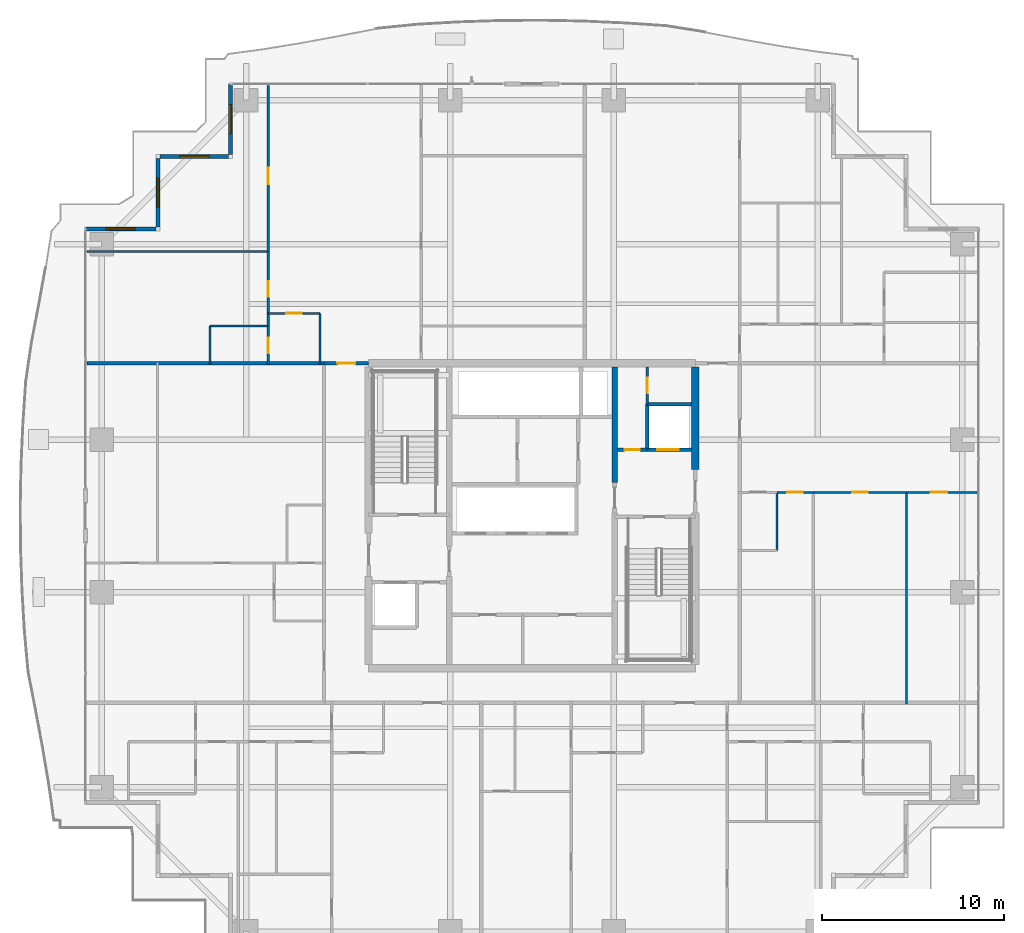
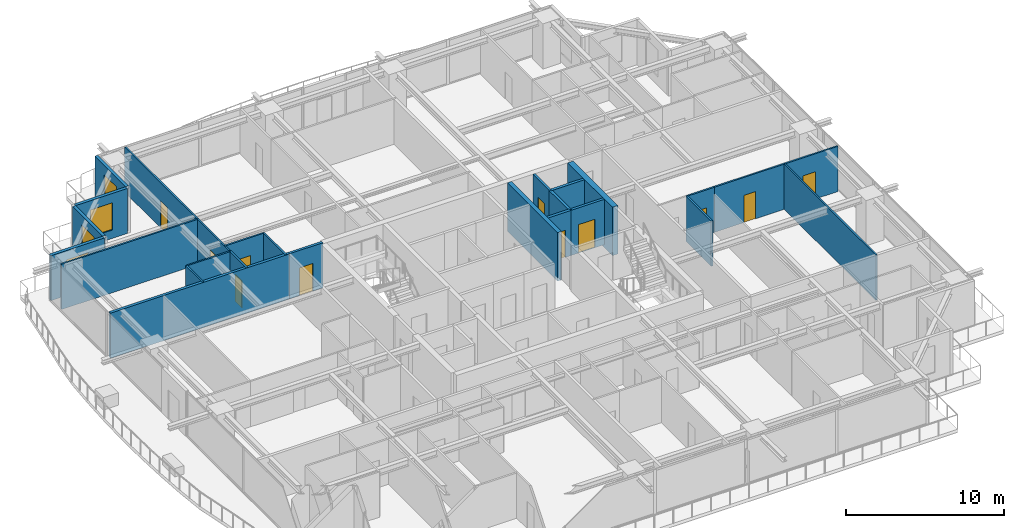
# One storey, part 30 of 39: 26 walls, 11 doors, 4 windows, 15 openings.
"""IFC4 building model written with IfcOpenShell, lengths in metres."""

from ifc_helpers import new_model, si_unit, direction, frame, frame_2d, origin, place, context, subcontext, project, spatial, rectangle, extrude, source, transform, mapped, material, layer, layer_set, type_object, element, fill, save


model = new_model("IFC4")

# Units and contexts
model_context = context("Model", 3, precision=1e-05, world=origin(), true_north=direction((0.0, 1.0)))
body_context = subcontext(model_context, "Body", "Model", "MODEL_VIEW")
ifc_project = project(units=[si_unit("LENGTHUNIT", "METRE"), si_unit("AREAUNIT", "SQUARE_METRE"), si_unit("VOLUMEUNIT", "CUBIC_METRE"), si_unit("PLANEANGLEUNIT", "RADIAN"), si_unit("MASSUNIT", "GRAM", prefix="KILO")], contexts=[model_context])

# Site, building, storey
site_placement = place(None, origin())
site = spatial("IfcSite", under=ifc_project, at=site_placement, CompositionType="ELEMENT")
building_placement = place(site_placement, origin())
building = spatial("IfcBuilding", under=site, at=building_placement, Name="Serunith Strait Residences", CompositionType="ELEMENT")
storey_placement = place(building_placement, frame((0.0, 0.0, 168.89990234375)))
storey = spatial("IfcBuildingStorey", under=building, at=storey_placement, Name="L42", CompositionType="ELEMENT", Elevation=168.89990234375)

# Wall, opening, window
ifc_material_1 = material(Name="Pale-Champagne Aluminium Insulated Panel", Category="aluminium")
ifc_layer_1 = layer(ifc_material_1, 0.219970703125, Name="Pale-Champagne Aluminium Insulated Panel")
ifc_layer_set_1 = layer_set([ifc_layer_1], Name="Pale-Champagne Aluminium Insulated Panel")
wall_type_1 = type_object("IfcWallType", Name="EW-ALUM-220", PredefinedType="ELEMENTEDWALL", material=ifc_layer_set_1)
wall_1_placement = place(storey_placement, frame((15.800048828125, 49.0, 0.0), z_axis=(0.0, 0.0, 1.0), x_axis=(0.0, -1.0, 0.0)))
wall_1 = element("IfcWall", 1, at=wall_1_placement, inside=storey, type_object=wall_type_1, Name="L42 Girih Serrated Corner Wall 12", PredefinedType="ELEMENTEDWALL", context=body_context, shape_type="SweptSolid", body=[
    extrude(rectangle(XDim=3.889892578125, YDim=0.219970703125, at=frame_2d((1.94482421875, 0.0))), origin(), (0.0, 0.0, 1.0), 3.47509765625),
])
opening_1_placement = place(wall_1_placement, frame((1.14501953125, 0.0, 0.64990234375)))
opening_1 = element("IfcOpeningElement", 2, at=opening_1_placement, cuts=wall_1, Name="Opening W-02", PredefinedType="OPENING", context=body_context, shape_type="SweptSolid", body=[
    extrude(rectangle(XDim=1.60009765625, YDim=2.10009765625, at=frame_2d((0.800048828125, 1.050048828125))), frame((0.0, 0.1201171875, 0.0), z_axis=(0.0, -1.0, 0.0), x_axis=(1.0, 0.0, 0.0)), (0.0, 0.0, 1.0), 0.239990234375),
])
ifc_material_2 = material(Name="Ceramic-Fritted Operable Aluminium Window Glass", Category="aluminium")
window_type = type_object("IfcWindowType", Name="WIN-C2", PartitioningType="DOUBLE_PANEL_VERTICAL", PredefinedType="WINDOW", material=ifc_material_2)
shared_shape_1 = source(origin(), body_context, "Body", "SweptSolid", [
    extrude(rectangle(XDim=1.60009765625, YDim=2.10009765625, at=frame_2d((0.800048828125, 1.050048828125))), frame((0.0, 0.030029296875, 0.0), z_axis=(0.0, -1.0, 0.0), x_axis=(1.0, 0.0, 0.0)), (0.0, 0.0, 1.0), 0.06005859375),
])
window_1_placement = place(opening_1_placement, origin())
window_1 = element("IfcWindow", 3, at=window_1_placement, inside=storey, type_object=window_type, Name="L42 Corner Operable Fritted Window 12", OverallHeight=2.10009765625, OverallWidth=1.60009765625, PartitioningType="SINGLE_PANEL", PredefinedType="WINDOW", context=body_context, shape_type="MappedRepresentation", body=[
    mapped(shared_shape_1, transform((0.0, 0.0, 0.0), scale=1.0)),
])
fill(opening_1, window_1)

wall_2_placement = place(storey_placement, frame((15.68994140625, 45.0, 0.0), z_axis=(0.0, 0.0, 1.0), x_axis=(-1.0, 0.0, 0.0)))
wall_2 = element("IfcWall", 4, at=wall_2_placement, inside=storey, type_object=wall_type_1, Name="L42 Girih Serrated Corner Wall 13", PredefinedType="ELEMENTEDWALL", context=body_context, shape_type="SweptSolid", body=[
    extrude(rectangle(XDim=3.780029296875, YDim=0.219970703125, at=frame_2d((1.89013671875, 0.0))), origin(), (0.0, 0.0, 1.0), 3.47509765625),
])
opening_2_placement = place(wall_2_placement, frame((1.090087890625, 0.0, 0.64990234375)))
opening_2 = element("IfcOpeningElement", 5, at=opening_2_placement, cuts=wall_2, Name="Opening W-02", PredefinedType="OPENING", context=body_context, shape_type="SweptSolid", body=[
    extrude(rectangle(XDim=1.60009765625, YDim=2.10009765625, at=frame_2d((0.800048828125, 1.050048828125))), frame((0.0, 0.1201171875, 0.0), z_axis=(0.0, -1.0, 0.0), x_axis=(1.0, 0.0, 0.0)), (0.0, 0.0, 1.0), 0.239990234375),
])
window_2_placement = place(opening_2_placement, origin())
window_2 = element("IfcWindow", 6, at=window_2_placement, inside=storey, type_object=window_type, Name="L42 Corner Operable Fritted Window 13", OverallHeight=2.10009765625, OverallWidth=1.60009765625, PartitioningType="SINGLE_PANEL", PredefinedType="WINDOW", context=body_context, shape_type="MappedRepresentation", body=[
    mapped(shared_shape_1, transform((0.0, 0.0, 0.0), scale=1.0)),
])
fill(opening_2, window_2)

wall_3_placement = place(storey_placement, frame((11.800048828125, 44.889892578125, 0.0), z_axis=(0.0, 0.0, 1.0), x_axis=(0.0, -1.0, 0.0)))
wall_3 = element("IfcWall", 7, at=wall_3_placement, inside=storey, type_object=wall_type_1, Name="L42 Girih Serrated Corner Wall 14", PredefinedType="ELEMENTEDWALL", context=body_context, shape_type="SweptSolid", body=[
    extrude(rectangle(XDim=3.77978515625, YDim=0.219970703125, at=frame_2d((1.889892578125, 0.0))), origin(), (0.0, 0.0, 1.0), 3.47509765625),
])
opening_3_placement = place(wall_3_placement, frame((1.090087890625, 0.0, 0.64990234375)))
opening_3 = element("IfcOpeningElement", 8, at=opening_3_placement, cuts=wall_3, Name="Opening W-02", PredefinedType="OPENING", context=body_context, shape_type="SweptSolid", body=[
    extrude(rectangle(XDim=1.60009765625, YDim=2.10009765625, at=frame_2d((0.800048828125, 1.050048828125))), frame((0.0, 0.1201171875, 0.0), z_axis=(0.0, -1.0, 0.0), x_axis=(1.0, 0.0, 0.0)), (0.0, 0.0, 1.0), 0.239990234375),
])
window_3_placement = place(opening_3_placement, origin())
window_3 = element("IfcWindow", 9, at=window_3_placement, inside=storey, type_object=window_type, Name="L42 Corner Operable Fritted Window 14", OverallHeight=2.10009765625, OverallWidth=1.60009765625, PartitioningType="SINGLE_PANEL", PredefinedType="WINDOW", context=body_context, shape_type="MappedRepresentation", body=[
    mapped(shared_shape_1, transform((0.0, 0.0, 0.0), scale=1.0)),
])
fill(opening_3, window_3)

wall_4_placement = place(storey_placement, frame((11.68994140625, 41.0, 0.0), z_axis=(0.0, 0.0, 1.0), x_axis=(-1.0, 0.0, 0.0)))
wall_4 = element("IfcWall", 10, at=wall_4_placement, inside=storey, type_object=wall_type_1, Name="L42 Girih Serrated Corner Wall 15", PredefinedType="ELEMENTEDWALL", context=body_context, shape_type="SweptSolid", body=[
    extrude(rectangle(XDim=3.889892578125, YDim=0.219970703125, at=frame_2d((1.94482421875, 0.0))), origin(), (0.0, 0.0, 1.0), 3.47509765625),
])
opening_4_placement = place(wall_4_placement, frame((1.14501953125, 0.0, 0.64990234375)))
opening_4 = element("IfcOpeningElement", 11, at=opening_4_placement, cuts=wall_4, Name="Opening W-02", PredefinedType="OPENING", context=body_context, shape_type="SweptSolid", body=[
    extrude(rectangle(XDim=1.60009765625, YDim=2.10009765625, at=frame_2d((0.800048828125, 1.050048828125))), frame((0.0, 0.1201171875, 0.0), z_axis=(0.0, -1.0, 0.0), x_axis=(1.0, 0.0, 0.0)), (0.0, 0.0, 1.0), 0.239990234375),
])
window_4_placement = place(opening_4_placement, origin())
window_4 = element("IfcWindow", 12, at=window_4_placement, inside=storey, type_object=window_type, Name="L42 Corner Operable Fritted Window 15", OverallHeight=2.10009765625, OverallWidth=1.60009765625, PartitioningType="SINGLE_PANEL", PredefinedType="WINDOW", context=body_context, shape_type="MappedRepresentation", body=[
    mapped(shared_shape_1, transform((0.0, 0.0, 0.0), scale=1.0)),
])
fill(opening_4, window_4)

# Wall, opening, door
ifc_material_3 = material(Name="Fire-rated masonry service closet wall", Category="masonry")
ifc_layer_2 = layer(ifc_material_3, 0.14990234375, Name="Fire-rated masonry service closet wall")
ifc_layer_set_2 = layer_set([ifc_layer_2], Name="Fire-rated masonry service closet wall")
wall_type_2 = type_object("IfcWallType", Name="IW-BOH-150", PredefinedType="PARTITIONING", material=ifc_layer_set_2)
wall_5_placement = place(storey_placement, frame((38.75, 31.35205078125, 0.0), z_axis=(0.0, 0.0, 1.0), x_axis=(0.0, 1.0, 0.0)))
wall_5 = element("IfcWall", 13, at=wall_5_placement, inside=storey, type_object=wall_type_2, Name="L42 Partition Wall 012", PredefinedType="PARTITIONING", context=body_context, shape_type="SweptSolid", body=[
    extrude(rectangle(XDim=2.0478515625, YDim=0.14990234375, at=frame_2d((1.02392578125, 0.0))), origin(), (0.0, 0.0, 1.0), 3.489990234375),
])
opening_5_placement = place(wall_5_placement, frame((0.59912109375, 0.0, 0.0)))
opening_5 = element("IfcOpeningElement", 14, at=opening_5_placement, cuts=wall_5, Name="Opening FD-850", PredefinedType="OPENING", context=body_context, shape_type="SweptSolid", body=[
    extrude(rectangle(XDim=0.85009765625, YDim=2.10009765625, at=frame_2d((0.425048828125, 1.050048828125))), frame((0.0, 0.0849609375, 0.0), z_axis=(0.0, -1.0, 0.0), x_axis=(1.0, 0.0, 0.0)), (0.0, 0.0, 1.0), 0.169921875),
])
ifc_material_4 = material(Name="Powder-coated steel service closet door", Category="steel")
door_type_1 = type_object("IfcDoorType", Name="FD-BOH-850", OperationType="NOTDEFINED", PredefinedType="DOOR", material=ifc_material_4)
shared_shape_2 = source(origin(), body_context, "Body", "SweptSolid", [
    extrude(rectangle(XDim=0.85009765625, YDim=2.10009765625, at=frame_2d((0.425048828125, 1.050048828125))), frame((0.0, 0.02490234375, 0.0), z_axis=(0.0, -1.0, 0.0), x_axis=(1.0, 0.0, 0.0)), (0.0, 0.0, 1.0), 0.050048828125),
])
door_1_placement = place(opening_5_placement, origin())
door_1 = element("IfcDoor", 15, at=door_1_placement, inside=storey, type_object=door_type_1, Name="L42 ELV Data Closet Door", OperationType="SINGLE_SWING_LEFT", OverallHeight=2.10009765625, OverallWidth=0.85009765625, PredefinedType="DOOR", context=body_context, shape_type="MappedRepresentation", body=[
    mapped(shared_shape_2, transform((0.0, 0.0, 0.0), scale=1.0)),
])
fill(opening_5, door_1)

ifc_material_5 = material(Name="Fire-rated acoustic gypsum partition")
ifc_layer_3 = layer(ifc_material_5, 0.179931640625, Name="Fire-rated acoustic gypsum partition")
ifc_layer_set_3 = layer_set([ifc_layer_3], Name="Fire-rated acoustic gypsum partition")
wall_type_3 = type_object("IfcWallType", Name="IW-CORR-180", PredefinedType="PARTITIONING", material=ifc_layer_set_3)
wall_6_placement = place(storey_placement, frame((20.951904296875, 33.60009765625, 0.0), z_axis=(0.0, 0.0, 1.0), x_axis=(1.0, 0.0, 0.0)))
wall_6 = element("IfcWall", 16, at=wall_6_placement, inside=storey, type_object=wall_type_3, Name="L42 Partition Wall 027", PredefinedType="PARTITIONING", context=body_context, shape_type="SweptSolid", body=[
    extrude(rectangle(XDim=2.446044921875, YDim=0.179931640625, at=frame_2d((1.22314453125, 0.0))), origin(), (0.0, 0.0, 1.0), 3.489990234375),
])
opening_6_placement = place(wall_6_placement, frame((0.722900390625, 0.0, 0.0)))
opening_6 = element("IfcOpeningElement", 17, at=opening_6_placement, cuts=wall_6, Name="Opening D-APT1000", PredefinedType="OPENING", context=body_context, shape_type="SweptSolid", body=[
    extrude(rectangle(XDim=1.0, YDim=2.14990234375, at=frame_2d((0.5, 1.074951171875))), frame((0.0, 0.10009765625, 0.0), z_axis=(0.0, -1.0, 0.0), x_axis=(1.0, 0.0, 0.0)), (0.0, 0.0, 1.0), 0.199951171875),
])
ifc_material_6 = material(Name="Solid timber engineered fire door", Category="wood")
door_type_2 = type_object("IfcDoorType", Name="ID-APT-1000", OperationType="NOTDEFINED", PredefinedType="DOOR", material=ifc_material_6)
shared_shape_3 = source(origin(), body_context, "Body", "SweptSolid", [
    extrude(rectangle(XDim=1.0, YDim=2.14990234375, at=frame_2d((0.5, 1.074951171875))), frame((0.0, 0.02490234375, 0.0), z_axis=(0.0, -1.0, 0.0), x_axis=(1.0, 0.0, 0.0)), (0.0, 0.0, 1.0), 0.050048828125),
])
door_2_placement = place(opening_6_placement, origin())
door_2 = element("IfcDoor", 18, at=door_2_placement, inside=storey, type_object=door_type_2, Name="L42 Unit 03 Entrance Door", OperationType="SINGLE_SWING_RIGHT", OverallHeight=2.14990234375, OverallWidth=1.0, PredefinedType="DOOR", context=body_context, shape_type="MappedRepresentation", body=[
    mapped(shared_shape_3, transform((0.0, 0.0, 0.0), scale=1.0)),
])
fill(opening_6, door_2)

ifc_material_7 = material(Name="Lightweight steel-stud gypsum partition", Category="steel")
ifc_layer_4 = layer(ifc_material_7, 0.1201171875, Name="Lightweight steel-stud gypsum partition")
ifc_layer_set_4 = layer_set([ifc_layer_4], Name="Lightweight steel-stud gypsum partition")
wall_type_4 = type_object("IfcWallType", Name="IW-PART-120", PredefinedType="PARTITIONING", material=ifc_layer_set_4)
wall_7_placement = place(storey_placement, frame((17.8701171875, 36.35009765625, 0.0), z_axis=(0.0, 0.0, 1.0), x_axis=(1.0, 0.0, 0.0)))
wall_7 = element("IfcWall", 19, at=wall_7_placement, inside=storey, type_object=wall_type_4, Name="L42 Partition Wall 066", PredefinedType="PARTITIONING", context=body_context, shape_type="SweptSolid", body=[
    extrude(rectangle(XDim=2.849853515625, YDim=0.1201171875, at=frame_2d((1.4248046875, 0.0))), origin(), (0.0, 0.0, 1.0), 3.489990234375),
])
opening_7_placement = place(wall_7_placement, frame((1.0, 0.0, 0.0)))
opening_7 = element("IfcOpeningElement", 20, at=opening_7_placement, cuts=wall_7, Name="Opening D-RM850", PredefinedType="OPENING", context=body_context, shape_type="SweptSolid", body=[
    extrude(rectangle(XDim=0.85009765625, YDim=2.10009765625, at=frame_2d((0.425048828125, 1.050048828125))), frame((0.0, 0.070068359375, 0.0), z_axis=(0.0, -1.0, 0.0), x_axis=(1.0, 0.0, 0.0)), (0.0, 0.0, 1.0), 0.14013671875),
])
ifc_material_8 = material(Name="Engineered timber flush study and kitchen door", Category="wood")
door_type_3 = type_object("IfcDoorType", Name="ID-ROOM-850", OperationType="NOTDEFINED", PredefinedType="DOOR", material=ifc_material_8)
door_3_placement = place(opening_7_placement, origin())
door_3 = element("IfcDoor", 21, at=door_3_placement, inside=storey, type_object=door_type_3, Name="L42 Kitchen 4203 Door", OperationType="SINGLE_SWING_LEFT", OverallHeight=2.10009765625, OverallWidth=0.85009765625, PredefinedType="DOOR", context=body_context, shape_type="MappedRepresentation", body=[
    mapped(shared_shape_2, transform((0.0, 0.0, 0.0), scale=1.0)),
])
fill(opening_7, door_3)

# Wall
wall_8_placement = place(storey_placement, frame((20.719970703125, 36.35009765625, 0.0), z_axis=(0.0, 0.0, 1.0), x_axis=(0.0, -1.0, 0.0)))
element("IfcWall", 22, at=wall_8_placement, inside=storey, type_object=wall_type_4, Name="L42 Partition Wall 067", PredefinedType="PARTITIONING", context=body_context, shape_type="SweptSolid", body=[
    extrude(rectangle(XDim=2.81005859375, YDim=0.1201171875, at=frame_2d((1.405029296875, 0.0))), origin(), (0.0, 0.0, 1.0), 3.489990234375),
])

# Wall, opening, door
wall_9_placement = place(storey_placement, frame((17.8701171875, 48.905029296875, 0.0), z_axis=(0.0, 0.0, 1.0), x_axis=(0.0, -1.0, 0.0)))
wall_9 = element("IfcWall", 23, at=wall_9_placement, inside=storey, type_object=wall_type_4, Name="L42 Partition Wall 068", PredefinedType="PARTITIONING", context=body_context, shape_type="SweptSolid", body=[
    extrude(rectangle(XDim=9.14013671875, YDim=0.1201171875, at=frame_2d((4.570068359375, 0.0))), origin(), (0.0, 0.0, 1.0), 3.489990234375),
])
opening_8_placement = place(wall_9_placement, frame((4.531982421875, 0.0, 0.0)))
opening_8 = element("IfcOpeningElement", 24, at=opening_8_placement, cuts=wall_9, Name="Opening D-RM900", PredefinedType="OPENING", context=body_context, shape_type="SweptSolid", body=[
    extrude(rectangle(XDim=0.89990234375, YDim=2.10009765625, at=frame_2d((0.449951171875, 1.050048828125))), frame((0.0, 0.070068359375, 0.0), z_axis=(0.0, -1.0, 0.0), x_axis=(1.0, 0.0, 0.0)), (0.0, 0.0, 1.0), 0.14013671875),
])
ifc_material_9 = material(Name="Engineered timber flush bedroom door", Category="wood")
door_type_4 = type_object("IfcDoorType", Name="ID-ROOM-900", OperationType="NOTDEFINED", PredefinedType="DOOR", material=ifc_material_9)
shared_shape_4 = source(origin(), body_context, "Body", "SweptSolid", [
    extrude(rectangle(XDim=0.89990234375, YDim=2.10009765625, at=frame_2d((0.449951171875, 1.050048828125))), frame((0.0, 0.02490234375, 0.0), z_axis=(0.0, -1.0, 0.0), x_axis=(1.0, 0.0, 0.0)), (0.0, 0.0, 1.0), 0.050048828125),
])
door_4_placement = place(opening_8_placement, origin())
door_4 = element("IfcDoor", 25, at=door_4_placement, inside=storey, type_object=door_type_4, Name="L42 Master Bedroom 1 4203 Door", OperationType="SINGLE_SWING_RIGHT", OverallHeight=2.10009765625, OverallWidth=0.89990234375, PredefinedType="DOOR", context=body_context, shape_type="MappedRepresentation", body=[
    mapped(shared_shape_4, transform((0.0, 0.0, 0.0), scale=1.0)),
])
fill(opening_8, door_4)

# Walls
wall_10_placement = place(storey_placement, frame((7.89501953125, 39.764892578125, 0.0), z_axis=(0.0, 0.0, 1.0), x_axis=(1.0, 0.0, 0.0)))
element("IfcWall", 26, at=wall_10_placement, inside=storey, type_object=wall_type_4, Name="L42 Partition Wall 069", PredefinedType="PARTITIONING", context=body_context, shape_type="SweptSolid", body=[
    extrude(rectangle(XDim=9.97509765625, YDim=0.1201171875, at=frame_2d((4.987548828125, 0.0))), origin(), (0.0, 0.0, 1.0), 3.489990234375),
])
wall_11_placement = place(storey_placement, frame((14.669921875, 35.64990234375, 0.0), z_axis=(0.0, 0.0, 1.0), x_axis=(1.0, 0.0, 0.0)))
element("IfcWall", 27, at=wall_11_placement, inside=storey, type_object=wall_type_4, Name="L42 Partition Wall 070", PredefinedType="PARTITIONING", context=body_context, shape_type="SweptSolid", body=[
    extrude(rectangle(XDim=3.2001953125, YDim=0.1201171875, at=frame_2d((1.60009765625, 0.0))), origin(), (0.0, 0.0, 1.0), 3.489990234375),
])
wall_12_placement = place(storey_placement, frame((14.669921875, 35.64990234375, 0.0), z_axis=(0.0, 0.0, 1.0), x_axis=(0.0, -1.0, 0.0)))
element("IfcWall", 28, at=wall_12_placement, inside=storey, type_object=wall_type_4, Name="L42 Partition Wall 071", PredefinedType="PARTITIONING", context=body_context, shape_type="SweptSolid", body=[
    extrude(rectangle(XDim=2.10986328125, YDim=0.1201171875, at=frame_2d((1.054931640625, 0.0))), origin(), (0.0, 0.0, 1.0), 3.489990234375),
])

# Wall, opening, door
wall_13_placement = place(storey_placement, frame((17.8701171875, 39.762939453125, 0.0), z_axis=(0.0, 0.0, 1.0), x_axis=(0.0, -1.0, 0.0)))
wall_13 = element("IfcWall", 29, at=wall_13_placement, inside=storey, type_object=wall_type_4, Name="L42 Partition Wall 072", PredefinedType="PARTITIONING", context=body_context, shape_type="SweptSolid", body=[
    extrude(rectangle(XDim=4.113037109375, YDim=0.1201171875, at=frame_2d((2.056640625, 0.0))), origin(), (0.0, 0.0, 1.0), 3.489990234375),
])
opening_9_placement = place(wall_13_placement, frame((1.631103515625, 0.0, 0.0)))
opening_9 = element("IfcOpeningElement", 30, at=opening_9_placement, cuts=wall_13, Name="Opening D-RM850", PredefinedType="OPENING", context=body_context, shape_type="SweptSolid", body=[
    extrude(rectangle(XDim=0.85009765625, YDim=2.10009765625, at=frame_2d((0.425048828125, 1.050048828125))), frame((0.0, 0.070068359375, 0.0), z_axis=(0.0, -1.0, 0.0), x_axis=(1.0, 0.0, 0.0)), (0.0, 0.0, 1.0), 0.14013671875),
])
door_5_placement = place(opening_9_placement, origin())
door_5 = element("IfcDoor", 31, at=door_5_placement, inside=storey, type_object=door_type_3, Name="L42 Walk-in Wardrobe 4203 Door", OperationType="SINGLE_SWING_LEFT", OverallHeight=2.10009765625, OverallWidth=0.85009765625, PredefinedType="DOOR", context=body_context, shape_type="MappedRepresentation", body=[
    mapped(shared_shape_2, transform((0.0, 0.0, 0.0), scale=1.0)),
])
fill(opening_9, door_5)

wall_14_placement = place(storey_placement, frame((17.8701171875, 35.64794921875, 0.0), z_axis=(0.0, 0.0, 1.0), x_axis=(0.0, -1.0, 0.0)))
wall_14 = element("IfcWall", 32, at=wall_14_placement, inside=storey, type_object=wall_type_4, Name="L42 Partition Wall 073", PredefinedType="PARTITIONING", context=body_context, shape_type="SweptSolid", body=[
    extrude(rectangle(XDim=2.10791015625, YDim=0.1201171875, at=frame_2d((1.053955078125, 0.0))), origin(), (0.0, 0.0, 1.0), 3.489990234375),
])
opening_10_placement = place(wall_14_placement, frame((0.62890625, 0.0, 0.0)))
opening_10 = element("IfcOpeningElement", 33, at=opening_10_placement, cuts=wall_14, Name="Opening D-BTH850", PredefinedType="OPENING", context=body_context, shape_type="SweptSolid", body=[
    extrude(rectangle(XDim=0.85009765625, YDim=2.10009765625, at=frame_2d((0.425048828125, 1.050048828125))), frame((0.0, 0.070068359375, 0.0), z_axis=(0.0, -1.0, 0.0), x_axis=(1.0, 0.0, 0.0)), (0.0, 0.0, 1.0), 0.14013671875),
])
ifc_material_10 = material(Name="Moisture-resistant timber bathroom door", Category="wood")
door_type_5 = type_object("IfcDoorType", Name="ID-BATH-850", OperationType="NOTDEFINED", PredefinedType="DOOR", material=ifc_material_10)
door_6_placement = place(opening_10_placement, origin())
door_6 = element("IfcDoor", 34, at=door_6_placement, inside=storey, type_object=door_type_5, Name="L42 Bathroom 4203 Door", OperationType="SINGLE_SWING_RIGHT", OverallHeight=2.10009765625, OverallWidth=0.85009765625, PredefinedType="DOOR", context=body_context, shape_type="MappedRepresentation", body=[
    mapped(shared_shape_2, transform((0.0, 0.0, 0.0), scale=1.0)),
])
fill(opening_10, door_6)

wall_15_placement = place(storey_placement, frame((56.905029296875, 26.489990234375, 0.0), z_axis=(0.0, 0.0, 1.0), x_axis=(-1.0, 0.0, 0.0)))
wall_15 = element("IfcWall", 35, at=wall_15_placement, inside=storey, type_object=wall_type_4, Name="L42 Partition Wall 100", PredefinedType="PARTITIONING", context=body_context, shape_type="SweptSolid", body=[
    extrude(rectangle(XDim=3.864013671875, YDim=0.1201171875, at=frame_2d((1.93212890625, 0.0))), origin(), (0.0, 0.0, 1.0), 3.489990234375),
])
opening_11_placement = place(wall_15_placement, frame((1.6298828125, 0.0, 0.0)))
opening_11 = element("IfcOpeningElement", 36, at=opening_11_placement, cuts=wall_15, Name="Opening D-RM900", PredefinedType="OPENING", context=body_context, shape_type="SweptSolid", body=[
    extrude(rectangle(XDim=0.89990234375, YDim=2.10009765625, at=frame_2d((0.449951171875, 1.050048828125))), frame((0.0, 0.070068359375, 0.0), z_axis=(0.0, -1.0, 0.0), x_axis=(1.0, 0.0, 0.0)), (0.0, 0.0, 1.0), 0.14013671875),
])
door_7_placement = place(opening_11_placement, origin())
door_7 = element("IfcDoor", 37, at=door_7_placement, inside=storey, type_object=door_type_4, Name="L42 Master Bedroom 1 4206 Door", OperationType="SINGLE_SWING_LEFT", OverallHeight=2.10009765625, OverallWidth=0.89990234375, PredefinedType="DOOR", context=body_context, shape_type="MappedRepresentation", body=[
    mapped(shared_shape_4, transform((0.0, 0.0, 0.0), scale=1.0)),
])
fill(opening_11, door_7)

# Walls
wall_16_placement = place(storey_placement, frame((53.041015625, 14.840087890625, 0.0), z_axis=(0.0, 0.0, 1.0), x_axis=(0.0, 1.0, 0.0)))
element("IfcWall", 38, at=wall_16_placement, inside=storey, type_object=wall_type_4, Name="L42 Partition Wall 101", PredefinedType="PARTITIONING", context=body_context, shape_type="SweptSolid", body=[
    extrude(rectangle(XDim=11.64990234375, YDim=0.1201171875, at=frame_2d((5.824951171875, 0.0))), origin(), (0.0, 0.0, 1.0), 3.489990234375),
])
wall_17_placement = place(storey_placement, frame((45.89990234375, 23.2900390625, 0.0), z_axis=(0.0, 0.0, 1.0), x_axis=(0.0, 1.0, 0.0)))
element("IfcWall", 39, at=wall_17_placement, inside=storey, type_object=wall_type_4, Name="L42 Partition Wall 103", PredefinedType="PARTITIONING", context=body_context, shape_type="SweptSolid", body=[
    extrude(rectangle(XDim=3.199951171875, YDim=0.1201171875, at=frame_2d((1.60009765625, 0.0))), origin(), (0.0, 0.0, 1.0), 3.489990234375),
])

# Wall, opening, door
wall_18_placement = place(storey_placement, frame((53.0390625, 26.489990234375, 0.0), z_axis=(0.0, 0.0, 1.0), x_axis=(-1.0, 0.0, 0.0)))
wall_18 = element("IfcWall", 40, at=wall_18_placement, inside=storey, type_object=wall_type_4, Name="L42 Partition Wall 105", PredefinedType="PARTITIONING", context=body_context, shape_type="SweptSolid", body=[
    extrude(rectangle(XDim=5.13916015625, YDim=0.1201171875, at=frame_2d((2.569580078125, 0.0))), origin(), (0.0, 0.0, 1.0), 3.489990234375),
])
opening_12_placement = place(wall_18_placement, frame((2.14501953125, 0.0, 0.0)))
opening_12 = element("IfcOpeningElement", 41, at=opening_12_placement, cuts=wall_18, Name="Opening D-RM850", PredefinedType="OPENING", context=body_context, shape_type="SweptSolid", body=[
    extrude(rectangle(XDim=0.85009765625, YDim=2.10009765625, at=frame_2d((0.425048828125, 1.050048828125))), frame((0.0, 0.070068359375, 0.0), z_axis=(0.0, -1.0, 0.0), x_axis=(1.0, 0.0, 0.0)), (0.0, 0.0, 1.0), 0.14013671875),
])
door_8_placement = place(opening_12_placement, origin())
door_8 = element("IfcDoor", 42, at=door_8_placement, inside=storey, type_object=door_type_3, Name="L42 Dining 4206 Door", OperationType="SINGLE_SWING_RIGHT", OverallHeight=2.10009765625, OverallWidth=0.85009765625, PredefinedType="DOOR", context=body_context, shape_type="MappedRepresentation", body=[
    mapped(shared_shape_2, transform((0.0, 0.0, 0.0), scale=1.0)),
])
fill(opening_12, door_8)

wall_19_placement = place(storey_placement, frame((47.89794921875, 26.489990234375, 0.0), z_axis=(0.0, 0.0, 1.0), x_axis=(-1.0, 0.0, 0.0)))
wall_19 = element("IfcWall", 43, at=wall_19_placement, inside=storey, type_object=wall_type_4, Name="L42 Partition Wall 106", PredefinedType="PARTITIONING", context=body_context, shape_type="SweptSolid", body=[
    extrude(rectangle(XDim=1.998046875, YDim=0.1201171875, at=frame_2d((0.9990234375, 0.0))), origin(), (0.0, 0.0, 1.0), 3.489990234375),
])
opening_13_placement = place(wall_19_placement, frame((0.573974609375, 0.0, 0.0)))
opening_13 = element("IfcOpeningElement", 44, at=opening_13_placement, cuts=wall_19, Name="Opening D-RM850", PredefinedType="OPENING", context=body_context, shape_type="SweptSolid", body=[
    extrude(rectangle(XDim=0.85009765625, YDim=2.10009765625, at=frame_2d((0.425048828125, 1.050048828125))), frame((0.0, 0.070068359375, 0.0), z_axis=(0.0, -1.0, 0.0), x_axis=(1.0, 0.0, 0.0)), (0.0, 0.0, 1.0), 0.14013671875),
])
door_9_placement = place(opening_13_placement, origin())
door_9 = element("IfcDoor", 45, at=door_9_placement, inside=storey, type_object=door_type_3, Name="L42 Kitchen 4206 Door", OperationType="SINGLE_SWING_LEFT", OverallHeight=2.10009765625, OverallWidth=0.85009765625, PredefinedType="DOOR", context=body_context, shape_type="MappedRepresentation", body=[
    mapped(shared_shape_2, transform((0.0, 0.0, 0.0), scale=1.0)),
])
fill(opening_13, door_9)

# Wall
ifc_material_11 = material(Name="Twin-stud acoustic gypsum board partition")
ifc_layer_5 = layer(ifc_material_11, 0.199951171875, Name="Twin-stud acoustic gypsum board partition")
ifc_layer_set_5 = layer_set([ifc_layer_5], Name="Twin-stud acoustic gypsum board partition")
wall_type_5 = type_object("IfcWallType", Name="IW-PARTY-200", PredefinedType="PARTITIONING", material=ifc_layer_set_5)
wall_20_placement = place(storey_placement, frame((7.882080078125, 33.60009765625, 0.0), z_axis=(0.0, 0.0, 1.0), x_axis=(1.0, 0.0, 0.0)))
element("IfcWall", 46, at=wall_20_placement, inside=storey, type_object=wall_type_5, Name="L42 Partition Wall 022", PredefinedType="PARTITIONING", context=body_context, shape_type="SweptSolid", body=[
    extrude(rectangle(XDim=13.06787109375, YDim=0.199951171875, at=frame_2d((6.533935546875, 0.0))), origin(), (0.0, 0.0, 1.0), 3.489990234375),
])

# Wall, opening, door
ifc_material_12 = material(Name="Autoclaved aerated concrete blockwork", Category="masonry")
ifc_layer_6 = layer(ifc_material_12, 0.199951171875, Name="Autoclaved aerated concrete blockwork")
ifc_layer_set_6 = layer_set([ifc_layer_6], Name="Autoclaved aerated concrete blockwork")
wall_type_6 = type_object("IfcWallType", Name="IW-SHAFT-200", PredefinedType="STANDARD", material=ifc_layer_set_6)
wall_21_placement = place(storey_placement, frame((38.75, 28.85009765625, 0.0), z_axis=(0.0, 0.0, 1.0), x_axis=(1.0, 0.0, 0.0)))
wall_21 = element("IfcWall", 47, at=wall_21_placement, inside=storey, type_object=wall_type_6, Name="L42 FL-2 South Shaft Wall", PredefinedType="STANDARD", context=body_context, shape_type="SweptSolid", body=[
    extrude(rectangle(XDim=2.449951171875, YDim=0.199951171875, at=frame_2d((1.22509765625, 0.0))), origin(), (0.0, 0.0, 1.0), 3.489990234375),
])
opening_14_placement = place(wall_21_placement, frame((0.550048828125, 0.0, 0.0)))
opening_14 = element("IfcOpeningElement", 48, at=opening_14_placement, cuts=wall_21, Name="Opening LD-FF1200", PredefinedType="OPENING", context=body_context, shape_type="SweptSolid", body=[
    extrude(rectangle(XDim=1.199951171875, YDim=2.199951171875, at=frame_2d((0.60009765625, 1.10009765625))), frame((0.0, 0.10986328125, 0.0), z_axis=(0.0, -1.0, 0.0), x_axis=(1.0, 0.0, 0.0)), (0.0, 0.0, 1.0), 0.219970703125),
])
ifc_material_13 = material(Name="Brushed stainless steel landing door", Category="steel")
door_type_6 = type_object("IfcDoorType", Name="LD-FF-1200", OperationType="DOUBLE_DOOR_SLIDING", PredefinedType="DOOR", material=ifc_material_13)
shared_shape_5 = source(origin(), body_context, "Body", "SweptSolid", [
    extrude(rectangle(XDim=1.199951171875, YDim=2.199951171875, at=frame_2d((0.60009765625, 1.10009765625))), frame((0.0, 0.02490234375, 0.0), z_axis=(0.0, -1.0, 0.0), x_axis=(1.0, 0.0, 0.0)), (0.0, 0.0, 1.0), 0.050048828125),
])
door_10_placement = place(opening_14_placement, origin())
door_10 = element("IfcDoor", 49, at=door_10_placement, inside=storey, type_object=door_type_6, Name="L42 FL-2 Landing Door", OperationType="DOUBLE_DOOR_SLIDING", OverallHeight=2.199951171875, OverallWidth=1.199951171875, PredefinedType="DOOR", context=body_context, shape_type="MappedRepresentation", body=[
    mapped(shared_shape_5, transform((0.0, 0.0, 0.0), scale=1.0)),
])
fill(opening_14, door_10)

# Walls
wall_22_placement = place(storey_placement, frame((38.75, 28.85009765625, 0.0), z_axis=(0.0, 0.0, 1.0), x_axis=(0.0, 1.0, 0.0)))
element("IfcWall", 50, at=wall_22_placement, inside=storey, type_object=wall_type_6, Name="L42 Partition Wall 004", PredefinedType="STANDARD", context=body_context, shape_type="SweptSolid", body=[
    extrude(rectangle(XDim=2.5, YDim=0.199951171875, at=frame_2d((1.25, 0.0))), origin(), (0.0, 0.0, 1.0), 3.489990234375),
])
wall_23_placement = place(storey_placement, frame((38.75, 31.35009765625, 0.0), z_axis=(0.0, 0.0, 1.0), x_axis=(1.0, 0.0, 0.0)))
element("IfcWall", 51, at=wall_23_placement, inside=storey, type_object=wall_type_6, Name="L42 Partition Wall 005", PredefinedType="STANDARD", context=body_context, shape_type="SweptSolid", body=[
    extrude(rectangle(XDim=2.449951171875, YDim=0.199951171875, at=frame_2d((1.22509765625, 0.0))), origin(), (0.0, 0.0, 1.0), 3.489990234375),
])

# Wall, opening, door
wall_24_placement = place(storey_placement, frame((37.10009765625, 28.85009765625, 0.0), z_axis=(0.0, 0.0, 1.0), x_axis=(1.0, 0.0, 0.0)))
wall_24 = element("IfcWall", 52, at=wall_24_placement, inside=storey, type_object=wall_type_6, Name="L42 Partition Wall 006", PredefinedType="STANDARD", context=body_context, shape_type="SweptSolid", body=[
    extrude(rectangle(XDim=1.64794921875, YDim=0.199951171875, at=frame_2d((0.823974609375, 0.0))), origin(), (0.0, 0.0, 1.0), 3.489990234375),
])
opening_15_placement = place(wall_24_placement, frame((0.39892578125, 0.0, 0.0)))
opening_15 = element("IfcOpeningElement", 53, at=opening_15_placement, cuts=wall_24, Name="Opening FD-850", PredefinedType="OPENING", context=body_context, shape_type="SweptSolid", body=[
    extrude(rectangle(XDim=0.85009765625, YDim=2.10009765625, at=frame_2d((0.425048828125, 1.050048828125))), frame((0.0, 0.10986328125, 0.0), z_axis=(0.0, -1.0, 0.0), x_axis=(1.0, 0.0, 0.0)), (0.0, 0.0, 1.0), 0.219970703125),
])
door_11_placement = place(opening_15_placement, origin())
door_11 = element("IfcDoor", 54, at=door_11_placement, inside=storey, type_object=door_type_1, Name="L42 North-East Core Service Door", OperationType="SINGLE_SWING_RIGHT", OverallHeight=2.10009765625, OverallWidth=0.85009765625, PredefinedType="DOOR", context=body_context, shape_type="MappedRepresentation", body=[
    mapped(shared_shape_2, transform((0.0, 0.0, 0.0), scale=1.0)),
])
fill(opening_15, door_11)

# Walls
ifc_material_14 = material(Name="Concrete C70/85", Category="concrete")
ifc_layer_7 = layer(ifc_material_14, 0.300048828125, Name="Concrete C70/85")
ifc_layer_set_7 = layer_set([ifc_layer_7], Name="Concrete C70/85")
wall_type_7 = type_object("IfcWallType", Name="SW-300-C70", PredefinedType="SHEAR", material=ifc_layer_set_7)
wall_25_placement = place(storey_placement, frame((36.949951171875, 27.050048828125, -0.260009765625), z_axis=(0.0, 0.0, 1.0), x_axis=(0.0, 1.0, 0.0)))
element("IfcWall", 55, at=wall_25_placement, inside=storey, type_object=wall_type_7, Name="L42 Core Internal East Web North Pier", PredefinedType="SHEAR", context=body_context, shape_type="SweptSolid", body=[
    extrude(rectangle(XDim=6.349853515625, YDim=0.300048828125, at=frame_2d((3.1748046875, 0.0))), origin(), (0.0, 0.0, 1.0), 3.748046875),
])
ifc_layer_8 = layer(ifc_material_14, 0.39990234375, Name="Concrete C70/85")
ifc_layer_set_8 = layer_set([ifc_layer_8], Name="Concrete C70/85")
wall_type_8 = type_object("IfcWallType", Name="SW-400-C70", PredefinedType="SHEAR", material=ifc_layer_set_8)
wall_26_placement = place(storey_placement, frame((41.39990234375, 27.75, -0.260009765625), z_axis=(0.0, 0.0, 1.0), x_axis=(0.0, 1.0, 0.0)))
element("IfcWall", 56, at=wall_26_placement, inside=storey, type_object=wall_type_8, Name="L42 Core East Shear Wall North Pier", PredefinedType="SHEAR", context=body_context, shape_type="SweptSolid", body=[
    extrude(rectangle(XDim=5.64990234375, YDim=0.39990234375, at=frame_2d((2.824951171875, 0.0))), origin(), (0.0, 0.0, 1.0), 3.748046875),
])

save(model, "model.ifc")
